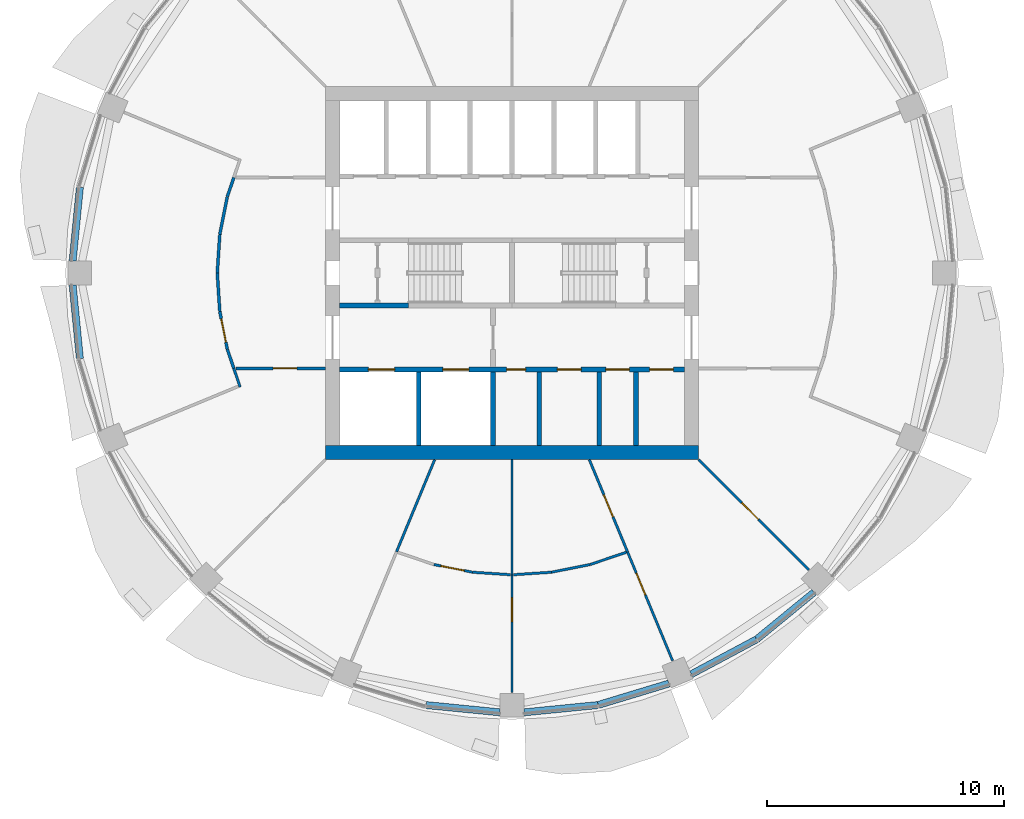
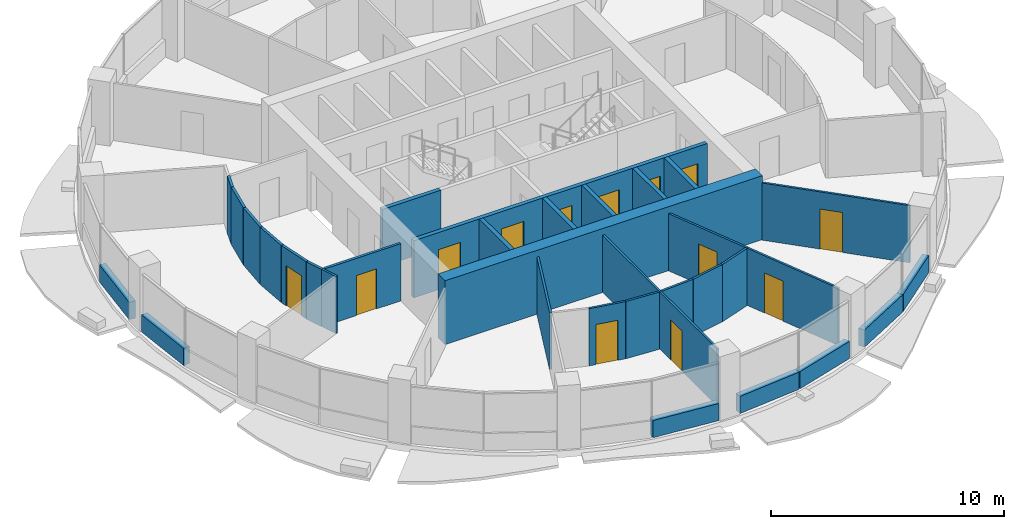
# One storey, part 8 of 15: 34 walls, 13 doors, 13 openings.
"""IFC4 building model written with IfcOpenShell, lengths in metres."""

from ifc_helpers import new_model, si_unit, direction, frame, frame_2d, origin, place, context, subcontext, project, spatial, rectangle, extrude, material, layer, layer_set, type_object, element, fill, save


model = new_model("IFC4")

# Units and contexts
model_context = context("Model", 3, precision=1e-05, world=origin(), true_north=direction((0.0, 1.0)))
body_context = subcontext(model_context, "Body", "Model", "MODEL_VIEW")
ifc_project = project(units=[si_unit("LENGTHUNIT", "METRE"), si_unit("AREAUNIT", "SQUARE_METRE"), si_unit("VOLUMEUNIT", "CUBIC_METRE"), si_unit("PLANEANGLEUNIT", "RADIAN"), si_unit("MASSUNIT", "GRAM", prefix="KILO")], contexts=[model_context])

# Site, building, storey
site_placement = place(None, origin())
site = spatial("IfcSite", under=ifc_project, at=site_placement, CompositionType="ELEMENT")
building_placement = place(site_placement, origin())
building = spatial("IfcBuilding", under=site, at=building_placement, Name="Polderwave Tower", CompositionType="ELEMENT")
storey_placement = place(building_placement, frame((0.0, 0.0, 157.800048828125)))
storey = spatial("IfcBuildingStorey", under=building, at=storey_placement, Name="L42", CompositionType="ELEMENT", Elevation=157.800048828125)

# Walls
ifc_material_1 = material(Name="Concrete C60/75", Category="concrete")
ifc_layer_1 = layer(ifc_material_1, 0.60009765625)
ifc_layer_set_1 = layer_set([ifc_layer_1], Name="CORE WALL 600 C60/75")
wall_type_1 = type_object("IfcWallType", Name="CORE WALL 600 C60/75", PredefinedType="SHEAR", material=ifc_layer_set_1)
wall_1_placement = place(storey_placement, frame((-7.8740234375, -7.573974609375, 0.0), z_axis=(0.0, 0.0, 1.0), x_axis=(1.0, 0.0, 0.0)))
element("IfcWall", 1, at=wall_1_placement, inside=storey, type_object=wall_type_1, Name="ST-CORE-L42-S", PredefinedType="SHEAR", context=body_context, shape_type="SweptSolid", body=[
    extrude(rectangle(XDim=15.748046875, YDim=0.60009765625, at=frame_2d((7.8740234375, 0.0))), origin(), (0.0, 0.0, 1.0), 3.349853515625),
])
ifc_material_2 = material(Name="Concrete C50/60 (board-marked)", Category="concrete")
ifc_layer_2 = layer(ifc_material_2, 0.300048828125)
ifc_layer_set_2 = layer_set([ifc_layer_2], Name="Concrete spandrel upstand C50/60")
wall_type_2 = type_object("IfcWallType", Name="Concrete spandrel upstand C50/60", PredefinedType="SOLIDWALL", material=ifc_layer_set_2)
for number, where, z_axis, x_axis, name in (
    (2, (-18.224609375, 3.610107421875, 0.0), (0.0, 0.0, 1.0), (-0.098011857239, -0.995185246997, 0.0), "Spandrel L42 8b"),
    (3, (-18.529541015625, -0.513916015625, 0.0), (0.0, 0.0, 1.0), (0.098011857239, -0.995185246997, 0.0), "Spandrel L42 9a"),
    (4, (-3.610107421875, -18.224609375, 0.0), (0.0, 0.0, 1.0), (0.995185246997, -0.098011857239, 0.0), "Spandrel L42 12b"),
    (5, (0.513916015625, -18.529541015625, 0.0), (0.0, 0.0, 1.0), (0.995185246997, 0.098011857239, 0.0), "Spandrel L42 13a"),
):
    element("IfcWall", number, at=place(storey_placement, frame(where, z_axis=z_axis, x_axis=x_axis)), inside=storey, type_object=wall_type_2, Name=name, PredefinedType="SOLIDWALL", context=body_context, shape_type="SweptSolid", body=[
        extrude(rectangle(XDim=3.111083984375, YDim=0.300048828125, at=frame_2d((1.5556640625, 0.0))), origin(), (0.0, 0.0, 1.0), 0.89990234375),
    ])
wall_2_placement = place(storey_placement, frame((3.639404296875, -18.218505859375, 0.0), z_axis=(0.0, 0.0, 1.0), x_axis=(0.956947154002, 0.29026219948, 0.0)))
element("IfcWall", 6, at=wall_2_placement, inside=storey, type_object=wall_type_2, Name="Spandrel L42 13b", PredefinedType="SOLIDWALL", context=body_context, shape_type="SweptSolid", body=[
    extrude(rectangle(XDim=3.111328125, YDim=0.300048828125, at=frame_2d((1.5556640625, 0.0))), origin(), (0.0, 0.0, 1.0), 0.89990234375),
])
wall_3_placement = place(storey_placement, frame((7.565185546875, -16.921875, 0.0), z_axis=(0.0, 0.0, 1.0), x_axis=(0.881883291798, 0.471467771589, 0.0)))
element("IfcWall", 7, at=wall_3_placement, inside=storey, type_object=wall_type_2, Name="Spandrel L42 14a", PredefinedType="SOLIDWALL", context=body_context, shape_type="SweptSolid", body=[
    extrude(rectangle(XDim=3.111083984375, YDim=0.300048828125, at=frame_2d((1.5556640625, 0.0))), origin(), (0.0, 0.0, 1.0), 0.89990234375),
])
wall_4_placement = place(storey_placement, frame((10.33349609375, -15.4384765625, 0.0), z_axis=(0.0, 0.0, 1.0), x_axis=(0.773271637721, 0.634074896441, 0.0)))
element("IfcWall", 8, at=wall_4_placement, inside=storey, type_object=wall_type_2, Name="Spandrel L42 14b", PredefinedType="SOLIDWALL", context=body_context, shape_type="SweptSolid", body=[
    extrude(rectangle(XDim=3.111572265625, YDim=0.300048828125, at=frame_2d((1.5556640625, 0.0))), origin(), (0.0, 0.0, 1.0), 0.89990234375),
])
ifc_material_3 = material(Name="Gypsum board partition")
ifc_layer_3 = layer(ifc_material_3, 0.199951171875)
ifc_layer_set_3 = layer_set([ifc_layer_3], Name="Core room partition 200")
wall_type_3 = type_object("IfcWallType", Name="Core room partition 200", PredefinedType="PARTITIONING", material=ifc_layer_set_3)
for number, where, z_axis, x_axis, name in (
    (9, (1.146484375, -7.27392578125, 0.0), (0.0, 0.0, 1.0), (0.0, 1.0, 0.0), "L42 room partition S1"),
    (10, (3.675048828125, -7.27392578125, 0.0), (0.0, 0.0, 1.0), (0.0, 1.0, 0.0), "L42 room partition S2"),
    (11, (5.2333984375, -7.27392578125, 0.0), (0.0, 0.0, 1.0), (0.0, 1.0, 0.0), "L42 room partition S3"),
):
    element("IfcWall", number, at=place(storey_placement, frame(where, z_axis=z_axis, x_axis=x_axis)), inside=storey, type_object=wall_type_3, Name=name, PredefinedType="PARTITIONING", context=body_context, shape_type="SweptSolid", body=[
        extrude(rectangle(XDim=3.099853515625, YDim=0.199951171875, at=frame_2d((1.5498046875, 0.0))), origin(), (0.0, 0.0, 1.0), 3.0),
    ])

# Wall, openings, doors
ifc_material_4 = material(Name="Concrete C50/60", Category="concrete")
ifc_layer_4 = layer(ifc_material_4, 0.199951171875)
ifc_layer_set_4 = layer_set([ifc_layer_4], Name="Core web wall 200")
wall_type_4 = type_object("IfcWallType", Name="Core web wall 200", PredefinedType="SHEAR", material=ifc_layer_set_4)
wall_5_placement = place(storey_placement, frame((-7.27392578125, -4.073974609375, 0.0), z_axis=(0.0, 0.0, 1.0), x_axis=(1.0, 0.0, 0.0)))
wall_5 = element("IfcWall", 12, at=wall_5_placement, inside=storey, type_object=wall_type_4, Name="L42 south front wall", PredefinedType="SHEAR", context=body_context, shape_type="SweptSolid", body=[
    extrude(rectangle(XDim=14.5478515625, YDim=0.199951171875, at=frame_2d((7.27392578125, 0.0))), origin(), (0.0, 0.0, 1.0), 3.0),
])
opening_1_placement = place(wall_5_placement, frame((1.218505859375, 0.0, 0.0)))
opening_1 = element("IfcOpeningElement", 13, at=opening_1_placement, cuts=wall_5, Name="Opening L42-D01", PredefinedType="OPENING", context=body_context, shape_type="SweptSolid", body=[
    extrude(rectangle(XDim=1.10009765625, YDim=2.10009765625, at=frame_2d((0.550048828125, 1.050048828125))), frame((0.0, 0.10986328125, 0.0), z_axis=(0.0, -1.0, 0.0), x_axis=(1.0, 0.0, 0.0)), (0.0, 0.0, 1.0), 0.219970703125),
])
opening_2_placement = place(wall_5_placement, frame((4.35546875, 0.0, 0.0)))
opening_2 = element("IfcOpeningElement", 14, at=opening_2_placement, cuts=wall_5, Name="Opening L42-D02", PredefinedType="OPENING", context=body_context, shape_type="SweptSolid", body=[
    extrude(rectangle(XDim=1.10009765625, YDim=2.10009765625, at=frame_2d((0.550048828125, 1.050048828125))), frame((0.0, 0.10986328125, 0.0), z_axis=(0.0, -1.0, 0.0), x_axis=(1.0, 0.0, 0.0)), (0.0, 0.0, 1.0), 0.219970703125),
])
opening_3_placement = place(wall_5_placement, frame((7.047119140625, 0.0, 0.0)))
opening_3 = element("IfcOpeningElement", 15, at=opening_3_placement, cuts=wall_5, Name="Opening L42-D15", PredefinedType="OPENING", context=body_context, shape_type="SweptSolid", body=[
    extrude(rectangle(XDim=0.800048828125, YDim=2.10009765625, at=frame_2d((0.39990234375, 1.050048828125))), frame((0.0, 0.10986328125, 0.0), z_axis=(0.0, -1.0, 0.0), x_axis=(1.0, 0.0, 0.0)), (0.0, 0.0, 1.0), 0.219970703125),
])
opening_4_placement = place(wall_5_placement, frame((9.184814453125, 0.0, 0.0)))
opening_4 = element("IfcOpeningElement", 16, at=opening_4_placement, cuts=wall_5, Name="Opening L42-D16", PredefinedType="OPENING", context=body_context, shape_type="SweptSolid", body=[
    extrude(rectangle(XDim=1.0, YDim=2.10009765625, at=frame_2d((0.5, 1.050048828125))), frame((0.0, 0.10986328125, 0.0), z_axis=(0.0, -1.0, 0.0), x_axis=(1.0, 0.0, 0.0)), (0.0, 0.0, 1.0), 0.219970703125),
])
opening_5_placement = place(wall_5_placement, frame((11.228271484375, 0.0, 0.0)))
opening_5 = element("IfcOpeningElement", 17, at=opening_5_placement, cuts=wall_5, Name="Opening L42-D17", PredefinedType="OPENING", context=body_context, shape_type="SweptSolid", body=[
    extrude(rectangle(XDim=1.0, YDim=2.10009765625, at=frame_2d((0.5, 1.050048828125))), frame((0.0, 0.10986328125, 0.0), z_axis=(0.0, -1.0, 0.0), x_axis=(1.0, 0.0, 0.0)), (0.0, 0.0, 1.0), 0.219970703125),
])
opening_6_placement = place(wall_5_placement, frame((13.07763671875, 0.0, 0.0)))
opening_6 = element("IfcOpeningElement", 18, at=opening_6_placement, cuts=wall_5, Name="Opening L42-D18", PredefinedType="OPENING", context=body_context, shape_type="SweptSolid", body=[
    extrude(rectangle(XDim=1.0, YDim=2.10009765625, at=frame_2d((0.5, 1.050048828125))), frame((0.0, 0.10986328125, 0.0), z_axis=(0.0, -1.0, 0.0), x_axis=(1.0, 0.0, 0.0)), (0.0, 0.0, 1.0), 0.219970703125),
])
ifc_material_5 = material(Name="Stainless steel", Category="steel")
door_type_1 = type_object("IfcDoorType", Name="Fire-fighting lift landing door 1100", OperationType="DOUBLE_DOOR_SLIDING", PredefinedType="DOOR", material=ifc_material_5)
door_1_placement = place(opening_1_placement, origin())
door_1 = element("IfcDoor", 19, at=door_1_placement, inside=storey, type_object=door_type_1, Name="Fire-fighting lift FF1 landing door", OperationType="DOUBLE_DOOR_SLIDING", OverallHeight=2.10009765625, OverallWidth=1.10009765625, PredefinedType="DOOR", context=body_context, shape_type="SweptSolid", body=[
    extrude(rectangle(XDim=1.10009765625, YDim=2.10009765625, at=frame_2d((0.550048828125, 1.050048828125))), frame((0.0, 0.02490234375, 0.0), z_axis=(0.0, -1.0, 0.0), x_axis=(1.0, 0.0, 0.0)), (0.0, 0.0, 1.0), 0.050048828125),
])
fill(opening_1, door_1)
door_2_placement = place(opening_2_placement, origin())
door_2 = element("IfcDoor", 20, at=door_2_placement, inside=storey, type_object=door_type_1, Name="Fire-fighting lift FF2 landing door", OperationType="DOUBLE_DOOR_SLIDING", OverallHeight=2.10009765625, OverallWidth=1.10009765625, PredefinedType="DOOR", context=body_context, shape_type="SweptSolid", body=[
    extrude(rectangle(XDim=1.10009765625, YDim=2.10009765625, at=frame_2d((0.550048828125, 1.050048828125))), frame((0.0, 0.02490234375, 0.0), z_axis=(0.0, -1.0, 0.0), x_axis=(1.0, 0.0, 0.0)), (0.0, 0.0, 1.0), 0.050048828125),
])
fill(opening_2, door_2)
ifc_material_6 = material(Name="Steel fire door", Category="steel")
door_type_2 = type_object("IfcDoorType", Name="Riser door 800", OperationType="NOTDEFINED", PredefinedType="DOOR", material=ifc_material_6)
door_3_placement = place(opening_3_placement, origin())
door_3 = element("IfcDoor", 21, at=door_3_placement, inside=storey, type_object=door_type_2, Name="Communications room door", OperationType="SINGLE_SWING_RIGHT", OverallHeight=2.10009765625, OverallWidth=0.800048828125, PredefinedType="DOOR", context=body_context, shape_type="SweptSolid", body=[
    extrude(rectangle(XDim=0.800048828125, YDim=2.10009765625, at=frame_2d((0.39990234375, 1.050048828125))), frame((0.0, 0.02490234375, 0.0), z_axis=(0.0, -1.0, 0.0), x_axis=(1.0, 0.0, 0.0)), (0.0, 0.0, 1.0), 0.050048828125),
])
fill(opening_3, door_3)
ifc_material_7 = material(Name="Timber door leaf", Category="wood")
door_type_3 = type_object("IfcDoorType", Name="Room door 1000", OperationType="NOTDEFINED", PredefinedType="DOOR", material=ifc_material_7)
door_4_placement = place(opening_4_placement, frame((1.0, 0.0, 0.0), z_axis=(0.0, 0.0, 1.0), x_axis=(-1.0, 0.0, 0.0)))
door_4 = element("IfcDoor", 22, at=door_4_placement, inside=storey, type_object=door_type_3, Name="Store door", OperationType="SINGLE_SWING_LEFT", OverallHeight=2.10009765625, OverallWidth=1.0, PredefinedType="DOOR", context=body_context, shape_type="SweptSolid", body=[
    extrude(rectangle(XDim=1.0, YDim=2.10009765625, at=frame_2d((0.5, 1.050048828125))), frame((0.0, 0.02490234375, 0.0), z_axis=(0.0, -1.0, 0.0), x_axis=(1.0, 0.0, 0.0)), (0.0, 0.0, 1.0), 0.050048828125),
])
fill(opening_4, door_4)
door_5_placement = place(opening_5_placement, frame((1.0, 0.0, 0.0), z_axis=(0.0, 0.0, 1.0), x_axis=(-1.0, 0.0, 0.0)))
door_5 = element("IfcDoor", 23, at=door_5_placement, inside=storey, type_object=door_type_3, Name="Staff WC door", OperationType="SINGLE_SWING_LEFT", OverallHeight=2.10009765625, OverallWidth=1.0, PredefinedType="DOOR", context=body_context, shape_type="SweptSolid", body=[
    extrude(rectangle(XDim=1.0, YDim=2.10009765625, at=frame_2d((0.5, 1.050048828125))), frame((0.0, 0.02490234375, 0.0), z_axis=(0.0, -1.0, 0.0), x_axis=(1.0, 0.0, 0.0)), (0.0, 0.0, 1.0), 0.050048828125),
])
fill(opening_5, door_5)
door_6_placement = place(opening_6_placement, frame((1.0, 0.0, 0.0), z_axis=(0.0, 0.0, 1.0), x_axis=(-1.0, 0.0, 0.0)))
door_6 = element("IfcDoor", 24, at=door_6_placement, inside=storey, type_object=door_type_3, Name="Housekeeping store door", OperationType="SINGLE_SWING_LEFT", OverallHeight=2.10009765625, OverallWidth=1.0, PredefinedType="DOOR", context=body_context, shape_type="SweptSolid", body=[
    extrude(rectangle(XDim=1.0, YDim=2.10009765625, at=frame_2d((0.5, 1.050048828125))), frame((0.0, 0.02490234375, 0.0), z_axis=(0.0, -1.0, 0.0), x_axis=(1.0, 0.0, 0.0)), (0.0, 0.0, 1.0), 0.050048828125),
])
fill(opening_6, door_6)

# Walls
wall_6_placement = place(storey_placement, frame((-7.27392578125, -1.375, 0.0), z_axis=(0.0, 0.0, 1.0), x_axis=(1.0, 0.0, 0.0)))
element("IfcWall", 25, at=wall_6_placement, inside=storey, type_object=wall_type_4, Name="L42 south stair wall 1", PredefinedType="SHEAR", context=body_context, shape_type="SweptSolid", body=[
    extrude(rectangle(XDim=2.89990234375, YDim=0.199951171875, at=frame_2d((1.449951171875, 0.0))), origin(), (0.0, 0.0, 1.0), 3.0),
])
ifc_material_8 = material(Name="Fire-resisting board on steel studs", Category="steel")
ifc_layer_5 = layer(ifc_material_8, 0.125)
ifc_layer_set_5 = layer_set([ifc_layer_5], Name="Corridor wall 125 mm EI 60")
wall_type_5 = type_object("IfcWallType", Name="Corridor wall 125 mm EI 60", PredefinedType="PARTITIONING", material=ifc_layer_set_5)
for number, where, z_axis, x_axis, name in (
    (26, (-12.4296875, 0.004150390625, 0.0), (0.0, 0.0, 1.0), (0.065347021391, 0.997862599157, 0.0), "IN-L42-W010"),
    (27, (-12.323974609375, -1.618408203125, 0.0), (0.0, 0.0, 1.0), (-0.065347021391, 0.997862599157, 0.0), "IN-L42-W011"),
    (28, (-12.322998046875, 1.62646484375, 0.0), (0.0, 0.0, 1.0), (0.195129303098, 0.980777525779, 0.0), "IN-L42-W012"),
):
    element("IfcWall", number, at=place(storey_placement, frame(where, z_axis=z_axis, x_axis=x_axis)), inside=storey, type_object=wall_type_5, Name=name, PredefinedType="PARTITIONING", context=body_context, shape_type="SweptSolid", body=[
        extrude(rectangle(XDim=1.61767578125, YDim=0.125, at=frame_2d((0.808837890625, 0.0))), origin(), (0.0, 0.0, 1.0), 3.0),
    ])

# Wall, opening, door
wall_7_placement = place(storey_placement, frame((-12.00732421875, -3.213134765625, 0.0), z_axis=(0.0, 0.0, 1.0), x_axis=(-0.195129303098, 0.980777525779, 0.0)))
wall_7 = element("IfcWall", 29, at=wall_7_placement, inside=storey, type_object=wall_type_5, Name="IN-L42-W013", PredefinedType="PARTITIONING", context=body_context, shape_type="SweptSolid", body=[
    extrude(rectangle(XDim=1.61767578125, YDim=0.125, at=frame_2d((0.808837890625, 0.0))), origin(), (0.0, 0.0, 1.0), 3.0),
])
opening_7_placement = place(wall_7_placement, frame((0.300048828125, 0.0, 0.0)))
opening_7 = element("IfcOpeningElement", 30, at=opening_7_placement, cuts=wall_7, Name="Opening L42-D54", PredefinedType="OPENING", context=body_context, shape_type="SweptSolid", body=[
    extrude(rectangle(XDim=1.0, YDim=2.10009765625, at=frame_2d((0.5, 1.050048828125))), frame((0.0, 0.072509765625, 0.0), z_axis=(0.0, -1.0, 0.0), x_axis=(1.0, 0.0, 0.0)), (0.0, 0.0, 1.0), 0.14501953125),
])
ifc_material_9 = material(Name="Timber fire door leaf", Category="wood")
door_type_4 = type_object("IfcDoorType", Name="Fire door FD30S 1000 x 2100", OperationType="NOTDEFINED", PredefinedType="DOOR", material=ifc_material_9)
door_7_placement = place(opening_7_placement, origin())
door_7 = element("IfcDoor", 31, at=door_7_placement, inside=storey, type_object=door_type_4, Name="Door L42-D54", OperationType="SINGLE_SWING_LEFT", OverallHeight=2.10009765625, OverallWidth=1.0, PredefinedType="DOOR", context=body_context, shape_type="SweptSolid", body=[
    extrude(rectangle(XDim=1.0, YDim=2.10009765625, at=frame_2d((0.5, 1.050048828125))), frame((0.0, 0.02490234375, 0.0), z_axis=(0.0, -1.0, 0.0), x_axis=(1.0, 0.0, 0.0)), (0.0, 0.0, 1.0), 0.050048828125),
])
fill(opening_7, door_7)

# Walls
for number, where, z_axis, x_axis, name in (
    (32, (-12.005126953125, 3.220947265625, 0.0), (0.0, 0.0, 1.0), (0.321402320822, 0.946942737535, 0.0), "IN-L42-W014"),
    (33, (-11.732421875, -4.0244140625, 0.0), (0.0, 0.0, 1.0), (-0.321402320822, 0.946942737535, 0.0), "IN-L42-W015"),
):
    element("IfcWall", number, at=place(storey_placement, frame(where, z_axis=z_axis, x_axis=x_axis)), inside=storey, type_object=wall_type_5, Name=name, PredefinedType="PARTITIONING", context=body_context, shape_type="SweptSolid", body=[
        extrude(rectangle(XDim=0.848388671875, YDim=0.125, at=frame_2d((0.42431640625, 0.0))), origin(), (0.0, 0.0, 1.0), 3.0),
    ])

# Wall, opening, door
wall_8_placement = place(storey_placement, frame((-7.8740234375, -4.0244140625, 0.0), z_axis=(0.0, 0.0, 1.0), x_axis=(-1.0, 0.0, 0.0)))
wall_8 = element("IfcWall", 34, at=wall_8_placement, inside=storey, type_object=wall_type_5, Name="IN-L42-W016", PredefinedType="PARTITIONING", context=body_context, shape_type="SweptSolid", body=[
    extrude(rectangle(XDim=3.771240234375, YDim=0.125, at=frame_2d((1.8857421875, 0.0))), origin(), (0.0, 0.0, 1.0), 3.0),
])
opening_8_placement = place(wall_8_placement, frame((1.199951171875, 0.0, 0.0)))
opening_8 = element("IfcOpeningElement", 35, at=opening_8_placement, cuts=wall_8, Name="Opening L42-D55", PredefinedType="OPENING", context=body_context, shape_type="SweptSolid", body=[
    extrude(rectangle(XDim=1.0, YDim=2.10009765625, at=frame_2d((0.5, 1.050048828125))), frame((0.0, 0.072509765625, 0.0), z_axis=(0.0, -1.0, 0.0), x_axis=(1.0, 0.0, 0.0)), (0.0, 0.0, 1.0), 0.14501953125),
])
door_8_placement = place(opening_8_placement, origin())
door_8 = element("IfcDoor", 36, at=door_8_placement, inside=storey, type_object=door_type_4, Name="Door L42-D55", OperationType="SINGLE_SWING_LEFT", OverallHeight=2.10009765625, OverallWidth=1.0, PredefinedType="DOOR", context=body_context, shape_type="SweptSolid", body=[
    extrude(rectangle(XDim=1.0, YDim=2.10009765625, at=frame_2d((0.5, 1.050048828125))), frame((0.0, 0.02490234375, 0.0), z_axis=(0.0, -1.0, 0.0), x_axis=(1.0, 0.0, 0.0)), (0.0, 0.0, 1.0), 0.050048828125),
])
fill(opening_8, door_8)

ifc_material_10 = material(Name="Plasterboard on steel studs", Category="steel")
ifc_layer_6 = layer(ifc_material_10, 0.10009765625)
ifc_layer_set_6 = layer_set([ifc_layer_6], Name="Partition 100 mm plasterboard on steel studs")
wall_type_6 = type_object("IfcWallType", Name="Partition 100 mm plasterboard on steel studs", PredefinedType="PARTITIONING", material=ifc_layer_set_6)
wall_9_placement = place(storey_placement, frame((0.0, -17.699951171875, 0.0), z_axis=(0.0, 0.0, 1.0), x_axis=(0.0, 1.0, 0.0)))
wall_9 = element("IfcWall", 37, at=wall_9_placement, inside=storey, type_object=wall_type_6, Name="IN-L42-W046", PredefinedType="PARTITIONING", context=body_context, shape_type="SweptSolid", body=[
    extrude(rectangle(XDim=4.969970703125, YDim=0.10009765625, at=frame_2d((2.48486328125, 0.0))), origin(), (0.0, 0.0, 1.0), 3.0),
])
opening_9_placement = place(wall_9_placement, frame((3.0, 0.0, 0.0)))
opening_9 = element("IfcOpeningElement", 38, at=opening_9_placement, cuts=wall_9, Name="Opening L42-D64", PredefinedType="OPENING", context=body_context, shape_type="SweptSolid", body=[
    extrude(rectangle(XDim=1.0, YDim=2.10009765625, at=frame_2d((0.5, 1.050048828125))), frame((0.0, 0.06005859375, 0.0), z_axis=(0.0, -1.0, 0.0), x_axis=(1.0, 0.0, 0.0)), (0.0, 0.0, 1.0), 0.1201171875),
])
ifc_material_11 = material(Name="Timber veneer door leaf", Category="wood")
door_type_5 = type_object("IfcDoorType", Name="Single door 1000 x 2100", OperationType="NOTDEFINED", PredefinedType="DOOR", material=ifc_material_11)
door_9_placement = place(opening_9_placement, origin())
door_9 = element("IfcDoor", 39, at=door_9_placement, inside=storey, type_object=door_type_5, Name="Door L42-D64", OperationType="SINGLE_SWING_RIGHT", OverallHeight=2.10009765625, OverallWidth=1.0, PredefinedType="DOOR", context=body_context, shape_type="SweptSolid", body=[
    extrude(rectangle(XDim=1.0, YDim=2.10009765625, at=frame_2d((0.5, 1.050048828125))), frame((0.0, 0.02490234375, 0.0), z_axis=(0.0, -1.0, 0.0), x_axis=(1.0, 0.0, 0.0)), (0.0, 0.0, 1.0), 0.050048828125),
])
fill(opening_9, door_9)

wall_10_placement = place(storey_placement, frame((6.7734375, -16.352783203125, 0.0), z_axis=(0.0, 0.0, 1.0), x_axis=(-0.38266126553, 0.923888714003, 0.0)))
wall_10 = element("IfcWall", 40, at=wall_10_placement, inside=storey, type_object=wall_type_6, Name="IN-L42-W051", PredefinedType="PARTITIONING", context=body_context, shape_type="SweptSolid", body=[
    extrude(rectangle(XDim=4.969970703125, YDim=0.10009765625, at=frame_2d((2.48486328125, 0.0))), origin(), (0.0, 0.0, 1.0), 3.0),
])
opening_10_placement = place(wall_10_placement, frame((3.0, 0.0, 0.0)))
opening_10 = element("IfcOpeningElement", 41, at=opening_10_placement, cuts=wall_10, Name="Opening L42-D66", PredefinedType="OPENING", context=body_context, shape_type="SweptSolid", body=[
    extrude(rectangle(XDim=1.0, YDim=2.10009765625, at=frame_2d((0.5, 1.050048828125))), frame((0.0, 0.06005859375, 0.0), z_axis=(0.0, -1.0, 0.0), x_axis=(1.0, 0.0, 0.0)), (0.0, 0.0, 1.0), 0.1201171875),
])
door_10_placement = place(opening_10_placement, origin())
door_10 = element("IfcDoor", 42, at=door_10_placement, inside=storey, type_object=door_type_5, Name="Door L42-D66", OperationType="SINGLE_SWING_RIGHT", OverallHeight=2.10009765625, OverallWidth=1.0, PredefinedType="DOOR", context=body_context, shape_type="SweptSolid", body=[
    extrude(rectangle(XDim=1.0, YDim=2.10009765625, at=frame_2d((0.5, 1.050048828125))), frame((0.0, 0.02490234375, 0.0), z_axis=(0.0, -1.0, 0.0), x_axis=(1.0, 0.0, 0.0)), (0.0, 0.0, 1.0), 0.050048828125),
])
fill(opening_10, door_10)

wall_11_placement = place(storey_placement, frame((12.515869140625, -12.515869140625, 0.0), z_axis=(0.0, 0.0, 1.0), x_axis=(-0.707106781187, 0.707106781187, 0.0)))
wall_11 = element("IfcWall", 43, at=wall_11_placement, inside=storey, type_object=wall_type_6, Name="IN-L42-W052", PredefinedType="PARTITIONING", context=body_context, shape_type="SweptSolid", body=[
    extrude(rectangle(XDim=6.564453125, YDim=0.10009765625, at=frame_2d((3.2822265625, 0.0))), origin(), (0.0, 0.0, 1.0), 3.0),
])
opening_11_placement = place(wall_11_placement, frame((3.0, 0.0, 0.0)))
opening_11 = element("IfcOpeningElement", 44, at=opening_11_placement, cuts=wall_11, Name="Opening L42-D67", PredefinedType="OPENING", context=body_context, shape_type="SweptSolid", body=[
    extrude(rectangle(XDim=1.0, YDim=2.10009765625, at=frame_2d((0.5, 1.050048828125))), frame((0.0, 0.06005859375, 0.0), z_axis=(0.0, -1.0, 0.0), x_axis=(1.0, 0.0, 0.0)), (0.0, 0.0, 1.0), 0.1201171875),
])
door_11_placement = place(opening_11_placement, origin())
door_11 = element("IfcDoor", 45, at=door_11_placement, inside=storey, type_object=door_type_5, Name="Door L42-D67", OperationType="SINGLE_SWING_RIGHT", OverallHeight=2.10009765625, OverallWidth=1.0, PredefinedType="DOOR", context=body_context, shape_type="SweptSolid", body=[
    extrude(rectangle(XDim=1.0, YDim=2.10009765625, at=frame_2d((0.5, 1.050048828125))), frame((0.0, 0.02490234375, 0.0), z_axis=(0.0, -1.0, 0.0), x_axis=(1.0, 0.0, 0.0)), (0.0, 0.0, 1.0), 0.050048828125),
])
fill(opening_11, door_11)

# Wall
ifc_material_12 = material(Name="Moisture-resistant board on steel studs, tiled", Category="steel")
ifc_layer_7 = layer(ifc_material_12, 0.10498046875)
ifc_layer_set_7 = layer_set([ifc_layer_7], Name="Partition 105 mm wet room board and tile")
wall_type_7 = type_object("IfcWallType", Name="Partition 105 mm wet room board and tile", PredefinedType="PARTITIONING", material=ifc_layer_set_7)
wall_12_placement = place(storey_placement, frame((-3.261474609375, -7.8740234375, 0.0), z_axis=(0.0, 0.0, 1.0), x_axis=(-0.38269858238, -0.923873257024, 0.0)))
element("IfcWall", 46, at=wall_12_placement, inside=storey, type_object=wall_type_7, Name="IN-L42-W040", PredefinedType="PARTITIONING", context=body_context, shape_type="SweptSolid", body=[
    extrude(rectangle(XDim=4.207275390625, YDim=0.10498046875, at=frame_2d((2.103515625, 0.0))), origin(), (0.0, 0.0, 1.0), 3.0),
])

# Wall, opening, door
wall_13_placement = place(storey_placement, frame((-3.29150390625, -12.296875, 0.0), z_axis=(0.0, 0.0, 1.0), x_axis=(0.980789623675, -0.195068485645, 0.0)))
wall_13 = element("IfcWall", 47, at=wall_13_placement, inside=storey, type_object=wall_type_7, Name="IN-L42-W043", PredefinedType="PARTITIONING", context=body_context, shape_type="SweptSolid", body=[
    extrude(rectangle(XDim=1.658203125, YDim=0.10498046875, at=frame_2d((0.8291015625, 0.0))), origin(), (0.0, 0.0, 1.0), 3.0),
])
opening_12_placement = place(wall_13_placement, frame((0.300048828125, 0.0, 0.0)))
opening_12 = element("IfcOpeningElement", 48, at=opening_12_placement, cuts=wall_13, Name="Opening L42-D63", PredefinedType="OPENING", context=body_context, shape_type="SweptSolid", body=[
    extrude(rectangle(XDim=1.0, YDim=2.10009765625, at=frame_2d((0.5, 1.050048828125))), frame((0.0, 0.0625, 0.0), z_axis=(0.0, -1.0, 0.0), x_axis=(1.0, 0.0, 0.0)), (0.0, 0.0, 1.0), 0.125),
])
door_12_placement = place(opening_12_placement, origin())
door_12 = element("IfcDoor", 49, at=door_12_placement, inside=storey, type_object=door_type_5, Name="Door L42-D63", OperationType="SINGLE_SWING_LEFT", OverallHeight=2.10009765625, OverallWidth=1.0, PredefinedType="DOOR", context=body_context, shape_type="SweptSolid", body=[
    extrude(rectangle(XDim=1.0, YDim=2.10009765625, at=frame_2d((0.5, 1.050048828125))), frame((0.0, 0.02490234375, 0.0), z_axis=(0.0, -1.0, 0.0), x_axis=(1.0, 0.0, 0.0)), (0.0, 0.0, 1.0), 0.050048828125),
])
fill(opening_12, door_12)

# Walls
wall_14_placement = place(storey_placement, frame((-0.055908203125, -12.726318359375, 0.0), z_axis=(0.0, 0.0, 1.0), x_axis=(-0.997860527919, 0.065378641933, 0.0)))
element("IfcWall", 50, at=wall_14_placement, inside=storey, type_object=wall_type_7, Name="IN-L42-W044", PredefinedType="PARTITIONING", context=body_context, shape_type="SweptSolid", body=[
    extrude(rectangle(XDim=1.605712890625, YDim=0.10498046875, at=frame_2d((0.802734375, 0.0))), origin(), (0.0, 0.0, 1.0), 3.0),
])
wall_15_placement = place(storey_placement, frame((0.0, -7.8740234375, 0.0), z_axis=(0.0, 0.0, 1.0), x_axis=(0.0, -1.0, 0.0)))
element("IfcWall", 51, at=wall_15_placement, inside=storey, type_object=wall_type_7, Name="IN-L42-W045", PredefinedType="PARTITIONING", context=body_context, shape_type="SweptSolid", body=[
    extrude(rectangle(XDim=4.85595703125, YDim=0.10498046875, at=frame_2d((2.427978515625, 0.0))), origin(), (0.0, 0.0, 1.0), 3.0),
])
wall_16_placement = place(storey_placement, frame((1.658203125, -12.621337890625, 0.0), z_axis=(0.0, 0.0, 1.0), x_axis=(-0.997860527919, -0.065378641933, 0.0)))
element("IfcWall", 52, at=wall_16_placement, inside=storey, type_object=wall_type_7, Name="IN-L42-W047", PredefinedType="PARTITIONING", context=body_context, shape_type="SweptSolid", body=[
    extrude(rectangle(XDim=1.605712890625, YDim=0.10498046875, at=frame_2d((0.802734375, 0.0))), origin(), (0.0, 0.0, 1.0), 3.0),
])
wall_17_placement = place(storey_placement, frame((3.29150390625, -12.296875, 0.0), z_axis=(0.0, 0.0, 1.0), x_axis=(-0.980789623675, -0.195068485645, 0.0)))
element("IfcWall", 53, at=wall_17_placement, inside=storey, type_object=wall_type_7, Name="IN-L42-W048", PredefinedType="PARTITIONING", context=body_context, shape_type="SweptSolid", body=[
    extrude(rectangle(XDim=1.658203125, YDim=0.10498046875, at=frame_2d((0.8291015625, 0.0))), origin(), (0.0, 0.0, 1.0), 3.0),
])
wall_18_placement = place(storey_placement, frame((4.818603515625, -11.779052734375, 0.0), z_axis=(0.0, 0.0, 1.0), x_axis=(-0.946935734923, -0.321422951771, 0.0)))
element("IfcWall", 54, at=wall_18_placement, inside=storey, type_object=wall_type_7, Name="IN-L42-W049", PredefinedType="PARTITIONING", context=body_context, shape_type="SweptSolid", body=[
    extrude(rectangle(XDim=1.605712890625, YDim=0.10498046875, at=frame_2d((0.802734375, 0.0))), origin(), (0.0, 0.0, 1.0), 3.0),
])

# Wall, opening, door
wall_19_placement = place(storey_placement, frame((4.87158203125, -11.760986328125, 0.0), z_axis=(0.0, 0.0, 1.0), x_axis=(-0.38269858238, 0.923873257024, 0.0)))
wall_19 = element("IfcWall", 55, at=wall_19_placement, inside=storey, type_object=wall_type_7, Name="IN-L42-W050", PredefinedType="PARTITIONING", context=body_context, shape_type="SweptSolid", body=[
    extrude(rectangle(XDim=4.207275390625, YDim=0.10498046875, at=frame_2d((2.103515625, 0.0))), origin(), (0.0, 0.0, 1.0), 3.0),
])
opening_13_placement = place(wall_19_placement, frame((1.60009765625, 0.0, 0.0)))
opening_13 = element("IfcOpeningElement", 56, at=opening_13_placement, cuts=wall_19, Name="Opening L42-D65", PredefinedType="OPENING", context=body_context, shape_type="SweptSolid", body=[
    extrude(rectangle(XDim=1.0, YDim=2.10009765625, at=frame_2d((0.5, 1.050048828125))), frame((0.0, 0.0625, 0.0), z_axis=(0.0, -1.0, 0.0), x_axis=(1.0, 0.0, 0.0)), (0.0, 0.0, 1.0), 0.125),
])
door_13_placement = place(opening_13_placement, origin())
door_13 = element("IfcDoor", 57, at=door_13_placement, inside=storey, type_object=door_type_5, Name="Door L42-D65", OperationType="SINGLE_SWING_LEFT", OverallHeight=2.10009765625, OverallWidth=1.0, PredefinedType="DOOR", context=body_context, shape_type="SweptSolid", body=[
    extrude(rectangle(XDim=1.0, YDim=2.10009765625, at=frame_2d((0.5, 1.050048828125))), frame((0.0, 0.02490234375, 0.0), z_axis=(0.0, -1.0, 0.0), x_axis=(1.0, 0.0, 0.0)), (0.0, 0.0, 1.0), 0.050048828125),
])
fill(opening_13, door_13)

# Walls
ifc_material_13 = material(Name="Acoustic double plasterboard on steel studs", Category="steel")
ifc_layer_8 = layer(ifc_material_13, 0.110107421875)
ifc_layer_set_8 = layer_set([ifc_layer_8], Name="Partition 110 mm acoustic double board")
wall_type_8 = type_object("IfcWallType", Name="Partition 110 mm acoustic double board", PredefinedType="PARTITIONING", material=ifc_layer_set_8)
wall_20_placement = place(storey_placement, frame((-11.732421875, -4.0244140625, 0.0), z_axis=(0.0, 0.0, 1.0), x_axis=(0.321527585288, -0.946900212218, 0.0)))
element("IfcWall", 58, at=wall_20_placement, inside=storey, type_object=wall_type_8, Name="IN-L42-W037", PredefinedType="PARTITIONING", context=body_context, shape_type="SweptSolid", body=[
    extrude(rectangle(XDim=0.828369140625, YDim=0.110107421875, at=frame_2d((0.4140625, 0.0))), origin(), (0.0, 0.0, 1.0), 3.0),
])
ifc_material_14 = material(Name="Gypsum shaft wall system")
ifc_layer_9 = layer(ifc_material_14, 0.199951171875)
ifc_layer_set_9 = layer_set([ifc_layer_9], Name="Shaft wall 200")
wall_type_9 = type_object("IfcWallType", Name="Shaft wall 200", PredefinedType="PARTITIONING", material=ifc_layer_set_9)
for number, where, z_axis, x_axis, name in (
    (59, (-3.93701171875, -7.27392578125, 0.0), (0.0, 0.0, 1.0), (0.0, 1.0, 0.0), "L42 fire-fighting shaft wall 1"),
    (60, (-0.800048828125, -7.27392578125, 0.0), (0.0, 0.0, 1.0), (0.0, 1.0, 0.0), "L42 fire-fighting shaft wall 2"),
):
    element("IfcWall", number, at=place(storey_placement, frame(where, z_axis=z_axis, x_axis=x_axis)), inside=storey, type_object=wall_type_9, Name=name, PredefinedType="PARTITIONING", context=body_context, shape_type="SweptSolid", body=[
        extrude(rectangle(XDim=3.099853515625, YDim=0.199951171875, at=frame_2d((1.5498046875, 0.0))), origin(), (0.0, 0.0, 1.0), 3.0),
    ])

save(model, "model.ifc")
